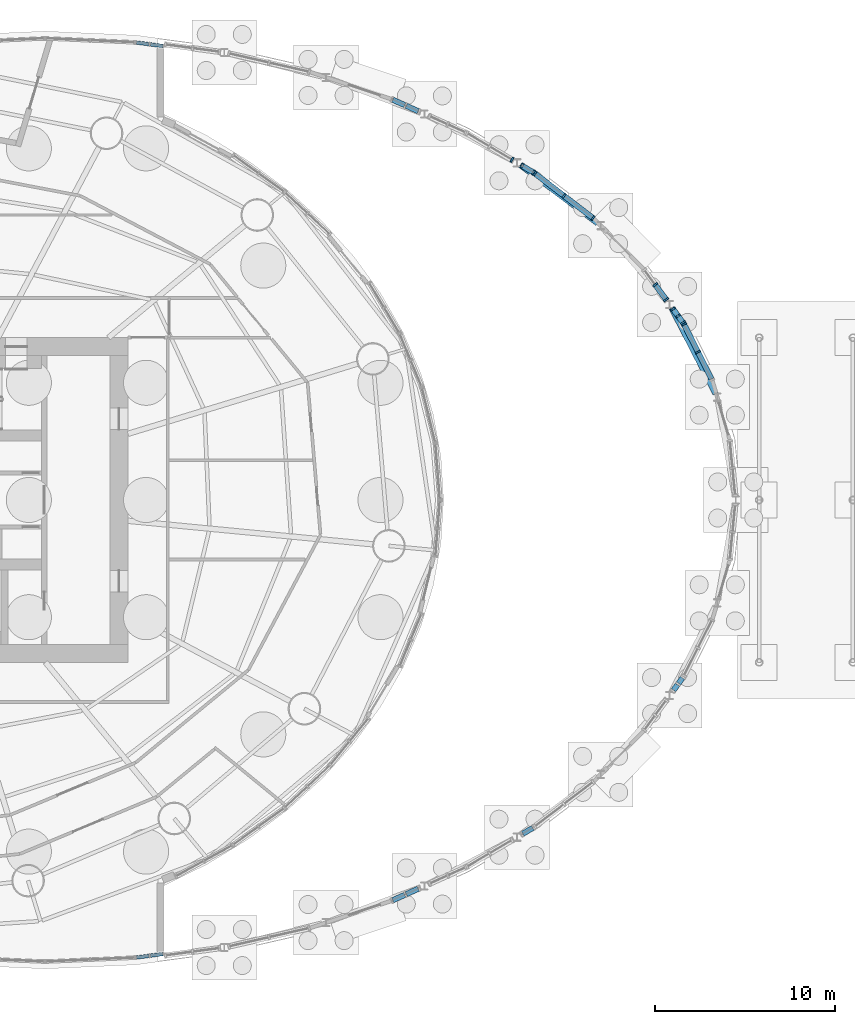
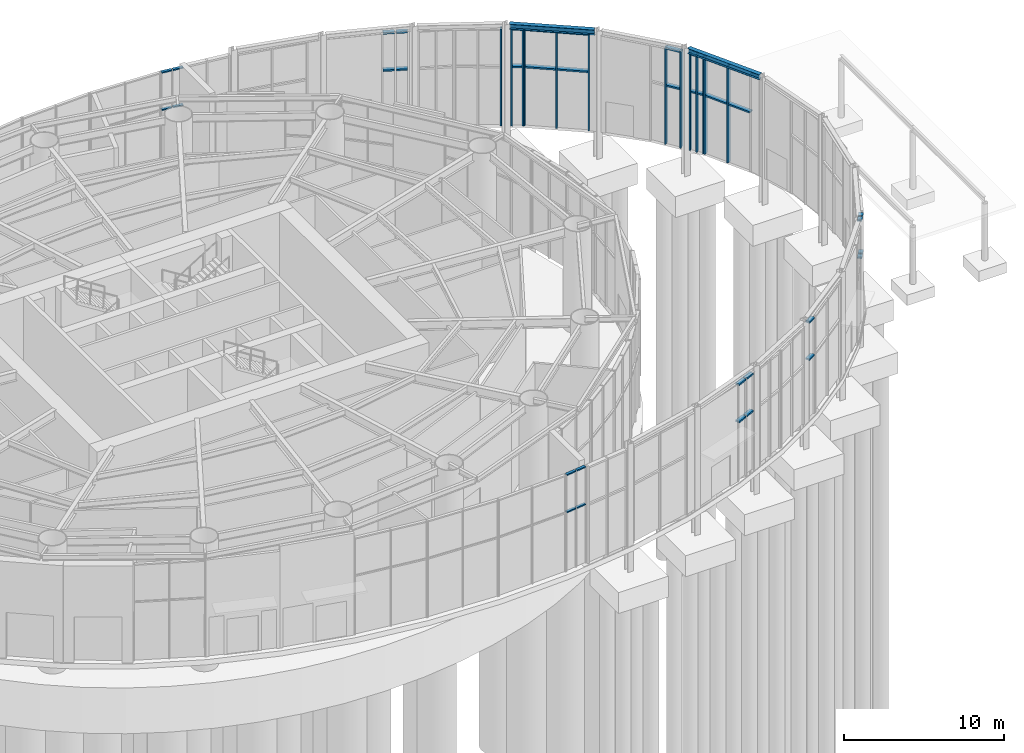
# One storey, part 14 of 27: 51 members, 2 beams, 12 elements without a shape of their own.
"""IFC4 building model written with IfcOpenShell, lengths in metres."""

from ifc_helpers import new_model, si_unit, direction, frame, origin, origin_2d, place, context, subcontext, project, spatial, rectangle, i_section, extrude, material, material_profile, profile_set, type_object, element, aggregate, save


model = new_model("IFC4")

# Units and contexts
model_context = context("Model", 3, precision=1e-05, world=origin(), true_north=direction((0.0, 1.0)))
body_context = subcontext(model_context, "Body", "Model", "MODEL_VIEW")
ifc_project = project(units=[si_unit("LENGTHUNIT", "METRE"), si_unit("AREAUNIT", "SQUARE_METRE"), si_unit("VOLUMEUNIT", "CUBIC_METRE"), si_unit("PLANEANGLEUNIT", "RADIAN"), si_unit("MASSUNIT", "GRAM", prefix="KILO")], contexts=[model_context])

# Site, building, storey
site_placement = place(None, origin())
site = spatial("IfcSite", under=ifc_project, at=site_placement, CompositionType="ELEMENT")
building_placement = place(site_placement, origin())
building = spatial("IfcBuilding", under=site, at=building_placement, Name="Vermilion Reach Broadcast Tower", CompositionType="ELEMENT")
storey_placement = place(building_placement, origin())
storey = spatial("IfcBuildingStorey", under=building, at=storey_placement, Name="L00", CompositionType="ELEMENT", Elevation=0.0)

# Curtain wall, members
ifc_material_1 = material(Name="Low-e laminated clear glass in aluminium frame", Category="aluminium")
curtain_wall_type_1 = type_object("IfcCurtainWallType", Name="Atrium outer wall curtain wall", PredefinedType="NOTDEFINED", material=ifc_material_1)
placement = place(storey_placement, origin())
curtain_wall_1 = element("IfcCurtainWall", 1, at=placement, inside=storey, type_object=curtain_wall_type_1, Name="Atrium wall L00 01", PredefinedType="NOTDEFINED")
ifc_material_2 = material(Name="Anodised aluminium", Category="aluminium")
ifc_material_profile_1 = material_profile(ifc_material_2, rectangle(XDim=0.300048828125, YDim=0.10009765625, at=origin_2d()), Name="Atrium outer wall mullion 100 x 300")
ifc_profile_set_1 = profile_set([ifc_material_profile_1], Name="Anodised aluminium")
member_type_1 = type_object("IfcMemberType", Name="Atrium outer wall mullion 100 x 300", PredefinedType="MULLION", material=ifc_profile_set_1)
member_1_placement = place(storey_placement, frame((37.6064453125, 8.20556640625, 0.0), z_axis=(0.0, 0.0, 1.0), x_axis=(-0.892992378986, -0.450071784356, 0.0)))
member_1 = element("IfcMember", 2, at=member_1_placement, type_object=member_type_1, Name="Atrium wall mullion L00 01.2", PredefinedType="MULLION", context=body_context, shape_type="SweptSolid", body=[
    extrude(rectangle(XDim=0.300048828125, YDim=0.10009765625, at=origin_2d()), origin(), (0.0, 0.0, 1.0), 7.409912109375),
])
member_2_placement = place(storey_placement, frame((36.8291015625, 9.748046875, 0.0), z_axis=(0.0, 0.0, 1.0), x_axis=(-0.892992378986, -0.450071784356, 0.0)))
member_2 = element("IfcMember", 3, at=member_2_placement, type_object=member_type_1, Name="Atrium wall mullion L00 01.3", PredefinedType="MULLION", context=body_context, shape_type="SweptSolid", body=[
    extrude(rectangle(XDim=0.300048828125, YDim=0.10009765625, at=origin_2d()), origin(), (0.0, 0.0, 1.0), 7.409912109375),
])

curtain_wall_2 = element("IfcCurtainWall", 4, at=placement, inside=storey, type_object=curtain_wall_type_1, Name="Atrium wall L00 02-1", PredefinedType="NOTDEFINED")
member_3_placement = place(storey_placement, frame((36.777099609375, 9.8330078125, 0.0), z_axis=(0.0, 0.0, 1.0), x_axis=(-0.806847463604, -0.590759824697, 0.0)))
member_3 = element("IfcMember", 5, at=member_3_placement, type_object=member_type_1, Name="Atrium wall mullion L00 02-1.1", PredefinedType="MULLION", context=body_context, shape_type="SweptSolid", body=[
    extrude(rectangle(XDim=0.300048828125, YDim=0.10009765625, at=origin_2d()), origin(), (0.0, 0.0, 1.0), 7.409912109375),
])
member_4_placement = place(storey_placement, frame((36.501220703125, 10.209716796875, 0.0), z_axis=(0.0, 0.0, 1.0), x_axis=(-0.806847463604, -0.590759824697, 0.0)))
member_4 = element("IfcMember", 6, at=member_4_placement, type_object=member_type_1, Name="Atrium wall mullion L00 02-1.2", PredefinedType="MULLION", context=body_context, shape_type="SweptSolid", body=[
    extrude(rectangle(XDim=0.300048828125, YDim=0.10009765625, at=origin_2d()), origin(), (0.0, 0.0, 1.0), 7.409912109375),
])
member_5_placement = place(storey_placement, frame((36.2255859375, 10.586181640625, 0.0), z_axis=(0.0, 0.0, 1.0), x_axis=(-0.806847463604, -0.590759824697, 0.0)))
member_5 = element("IfcMember", 7, at=member_5_placement, type_object=member_type_1, Name="Atrium wall mullion L00 02-1.3", PredefinedType="MULLION", context=body_context, shape_type="SweptSolid", body=[
    extrude(rectangle(XDim=0.300048828125, YDim=0.10009765625, at=origin_2d()), origin(), (0.0, 0.0, 1.0), 7.409912109375),
])

curtain_wall_3 = element("IfcCurtainWall", 8, at=placement, inside=storey, type_object=curtain_wall_type_1, Name="Atrium wall L00 02-2", PredefinedType="NOTDEFINED")
member_6_placement = place(storey_placement, frame((35.8427734375, 11.109130859375, 0.0), z_axis=(0.0, 0.0, 1.0), x_axis=(-0.806847463604, -0.590759824697, 0.0)))
member_6 = element("IfcMember", 9, at=member_6_placement, type_object=member_type_1, Name="Atrium wall mullion L00 02-2.1", PredefinedType="MULLION", context=body_context, shape_type="SweptSolid", body=[
    extrude(rectangle(XDim=0.300048828125, YDim=0.10009765625, at=origin_2d()), origin(), (0.0, 0.0, 1.0), 7.409912109375),
])
member_7_placement = place(storey_placement, frame((35.236572265625, 11.936767578125, 0.0), z_axis=(0.0, 0.0, 1.0), x_axis=(-0.806847463604, -0.590759824697, 0.0)))
member_7 = element("IfcMember", 10, at=member_7_placement, type_object=member_type_1, Name="Atrium wall mullion L00 02-2.2", PredefinedType="MULLION", context=body_context, shape_type="SweptSolid", body=[
    extrude(rectangle(XDim=0.300048828125, YDim=0.10009765625, at=origin_2d()), origin(), (0.0, 0.0, 1.0), 7.409912109375),
])

curtain_wall_4 = element("IfcCurtainWall", 11, at=placement, inside=storey, type_object=curtain_wall_type_1, Name="Atrium wall L00 01", PredefinedType="NOTDEFINED")
member_8_placement = place(storey_placement, frame((31.7861328125, 15.6328125, 0.0), z_axis=(0.0, 0.0, 1.0), x_axis=(-0.609113924113, -0.793082736826, 0.0)))
member_8 = element("IfcMember", 12, at=member_8_placement, type_object=member_type_1, Name="Atrium wall mullion L00 01.1", PredefinedType="MULLION", context=body_context, shape_type="SweptSolid", body=[
    extrude(rectangle(XDim=0.300048828125, YDim=0.10009765625, at=origin_2d()), origin(), (0.0, 0.0, 1.0), 7.409912109375),
])
member_9_placement = place(storey_placement, frame((30.17626953125, 16.869140625, 0.0), z_axis=(0.0, 0.0, 1.0), x_axis=(-0.609113924113, -0.793082736826, 0.0)))
member_9 = element("IfcMember", 13, at=member_9_placement, type_object=member_type_1, Name="Atrium wall mullion L00 01.2", PredefinedType="MULLION", context=body_context, shape_type="SweptSolid", body=[
    extrude(rectangle(XDim=0.300048828125, YDim=0.10009765625, at=origin_2d()), origin(), (0.0, 0.0, 1.0), 7.409912109375),
])
member_10_placement = place(storey_placement, frame((28.566650390625, 18.10546875, 0.0), z_axis=(0.0, 0.0, 1.0), x_axis=(-0.609113924113, -0.793082736826, 0.0)))
member_10 = element("IfcMember", 14, at=member_10_placement, type_object=member_type_1, Name="Atrium wall mullion L00 01.3", PredefinedType="MULLION", context=body_context, shape_type="SweptSolid", body=[
    extrude(rectangle(XDim=0.300048828125, YDim=0.10009765625, at=origin_2d()), origin(), (0.0, 0.0, 1.0), 7.409912109375),
])

curtain_wall_5 = element("IfcCurtainWall", 15, at=placement, inside=storey, type_object=curtain_wall_type_1, Name="Atrium wall L00 02-1", PredefinedType="NOTDEFINED")
member_11_placement = place(storey_placement, frame((28.48388671875, 18.161376953125, 0.0), z_axis=(0.0, 0.0, 1.0), x_axis=(-0.508589622127, -0.861009057017, 0.0)))
member_11 = element("IfcMember", 16, at=member_11_placement, type_object=member_type_1, Name="Atrium wall mullion L00 02-1.1", PredefinedType="MULLION", context=body_context, shape_type="SweptSolid", body=[
    extrude(rectangle(XDim=0.300048828125, YDim=0.10009765625, at=origin_2d()), origin(), (0.0, 0.0, 1.0), 7.409912109375),
])
member_12_placement = place(storey_placement, frame((27.849609375, 18.5361328125, 0.0), z_axis=(0.0, 0.0, 1.0), x_axis=(-0.508589622127, -0.861009057017, 0.0)))
member_12 = element("IfcMember", 17, at=member_12_placement, type_object=member_type_1, Name="Atrium wall mullion L00 02-1.2", PredefinedType="MULLION", context=body_context, shape_type="SweptSolid", body=[
    extrude(rectangle(XDim=0.300048828125, YDim=0.10009765625, at=origin_2d()), origin(), (0.0, 0.0, 1.0), 7.409912109375),
])

# Curtain wall, member
curtain_wall_6 = element("IfcCurtainWall", 18, at=placement, inside=storey, type_object=curtain_wall_type_1, Name="Atrium wall L00 02-2", PredefinedType="NOTDEFINED")
member_13_placement = place(storey_placement, frame((27.291748046875, 18.86572265625, 0.0), z_axis=(0.0, 0.0, 1.0), x_axis=(-0.508589622127, -0.861009057017, 0.0)))
member_13 = element("IfcMember", 19, at=member_13_placement, type_object=member_type_1, Name="Atrium wall mullion L00 02-2.1", PredefinedType="MULLION", context=body_context, shape_type="SweptSolid", body=[
    extrude(rectangle(XDim=0.300048828125, YDim=0.10009765625, at=origin_2d()), origin(), (0.0, 0.0, 1.0), 7.409912109375),
])
aggregate(curtain_wall_6, [member_13])

# Curtain wall, members
curtain_wall_7 = element("IfcCurtainWall", 20, at=placement, inside=storey, type_object=curtain_wall_type_1, Name="Atrium wall L00 01-1", PredefinedType="NOTDEFINED")
ifc_material_3 = material(Name="Anodised aluminium", Category="aluminium")
ifc_material_profile_2 = material_profile(ifc_material_3, rectangle(XDim=0.300048828125, YDim=0.1201171875, at=origin_2d()), Name="Atrium outer wall transom 300 x 120")
ifc_profile_set_2 = profile_set([ifc_material_profile_2], Name="Anodised aluminium")
member_type_2 = type_object("IfcMemberType", Name="Atrium outer wall transom 300 x 120", PredefinedType="USERDEFINED", material=ifc_profile_set_2)
member_14_placement = place(storey_placement, frame((20.6826171875, -22.196044921875, 4.5), z_axis=(0.911946820137, 0.41030841722, 0.0), x_axis=(-0.41030841722, 0.911946820137, 0.0)))
member_14 = element("IfcMember", 21, at=member_14_placement, type_object=member_type_2, Name="Atrium wall transom L00 01-1.1.2", ObjectType="TRANSOM", PredefinedType="USERDEFINED", context=body_context, shape_type="SweptSolid", body=[
    extrude(rectangle(XDim=0.300048828125, YDim=0.1201171875, at=origin_2d()), origin(), (0.0, 0.0, 1.0), 0.7216796875),
])
member_15_placement = place(storey_placement, frame((20.6826171875, -22.196044921875, 7.35009765625), z_axis=(0.911946820137, 0.41030841722, 0.0), x_axis=(-0.41030841722, 0.911946820137, 0.0)))
member_15 = element("IfcMember", 22, at=member_15_placement, type_object=member_type_2, Name="Atrium wall transom L00 01-1.1.3", ObjectType="TRANSOM", PredefinedType="USERDEFINED", context=body_context, shape_type="SweptSolid", body=[
    extrude(rectangle(XDim=0.300048828125, YDim=0.1201171875, at=origin_2d()), origin(), (0.0, 0.0, 1.0), 0.7216796875),
])
member_16_placement = place(storey_placement, frame((21.431884765625, -21.85888671875, 4.5), z_axis=(0.911877215452, 0.410463084746, 0.0), x_axis=(-0.410463084746, 0.911877215452, 0.0)))
member_16 = element("IfcMember", 23, at=member_16_placement, type_object=member_type_2, Name="Atrium wall transom L00 01-1.2.2", ObjectType="TRANSOM", PredefinedType="USERDEFINED", context=body_context, shape_type="SweptSolid", body=[
    extrude(rectangle(XDim=0.300048828125, YDim=0.1201171875, at=origin_2d()), origin(), (0.0, 0.0, 1.0), 0.72216796875),
])
member_17_placement = place(storey_placement, frame((21.431884765625, -21.85888671875, 7.35009765625), z_axis=(0.911877215452, 0.410463084746, 0.0), x_axis=(-0.410463084746, 0.911877215452, 0.0)))
member_17 = element("IfcMember", 24, at=member_17_placement, type_object=member_type_2, Name="Atrium wall transom L00 01-1.2.3", ObjectType="TRANSOM", PredefinedType="USERDEFINED", context=body_context, shape_type="SweptSolid", body=[
    extrude(rectangle(XDim=0.300048828125, YDim=0.1201171875, at=origin_2d()), origin(), (0.0, 0.0, 1.0), 0.72216796875),
])
aggregate(curtain_wall_7, [member_14, member_15, member_16, member_17])

curtain_wall_8 = element("IfcCurtainWall", 25, at=placement, inside=storey, type_object=curtain_wall_type_1, Name="Atrium wall L00 02-2", PredefinedType="NOTDEFINED")
member_18_placement = place(storey_placement, frame((27.892822265625, -18.5107421875, 4.5), z_axis=(0.860857815455, 0.508845577331, 0.0), x_axis=(-0.508845577331, 0.860857815455, 0.0)))
member_18 = element("IfcMember", 26, at=member_18_placement, type_object=member_type_2, Name="Atrium wall transom L00 02-2.1.2", ObjectType="TRANSOM", PredefinedType="USERDEFINED", context=body_context, shape_type="SweptSolid", body=[
    extrude(rectangle(XDim=0.300048828125, YDim=0.1201171875, at=origin_2d()), origin(), (0.0, 0.0, 1.0), 0.63671875),
])
member_19_placement = place(storey_placement, frame((27.892822265625, -18.5107421875, 7.35009765625), z_axis=(0.860857815455, 0.508845577331, 0.0), x_axis=(-0.508845577331, 0.860857815455, 0.0)))
member_19 = element("IfcMember", 27, at=member_19_placement, type_object=member_type_2, Name="Atrium wall transom L00 02-2.1.3", ObjectType="TRANSOM", PredefinedType="USERDEFINED", context=body_context, shape_type="SweptSolid", body=[
    extrude(rectangle(XDim=0.300048828125, YDim=0.1201171875, at=origin_2d()), origin(), (0.0, 0.0, 1.0), 0.63671875),
])
aggregate(curtain_wall_8, [member_18, member_19])

curtain_wall_9 = element("IfcCurtainWall", 28, at=placement, inside=storey, type_object=curtain_wall_type_1, Name="Atrium wall L00 01-2", PredefinedType="NOTDEFINED")
member_20_placement = place(storey_placement, frame((36.255126953125, -10.5458984375, 4.5), z_axis=(0.590584029438, 0.806976148454, 0.0), x_axis=(-0.806976148454, 0.590584029438, 0.0)))
member_20 = element("IfcMember", 29, at=member_20_placement, type_object=member_type_2, Name="Atrium wall transom L00 01-2.1.2", ObjectType="TRANSOM", PredefinedType="USERDEFINED", context=body_context, shape_type="SweptSolid", body=[
    extrude(rectangle(XDim=0.300048828125, YDim=0.1201171875, at=origin_2d()), origin(), (0.0, 0.0, 1.0), 0.36669921875),
])
member_21_placement = place(storey_placement, frame((36.255126953125, -10.5458984375, 7.35009765625), z_axis=(0.590584029438, 0.806976148454, 0.0), x_axis=(-0.806976148454, 0.590584029438, 0.0)))
member_21 = element("IfcMember", 30, at=member_21_placement, type_object=member_type_2, Name="Atrium wall transom L00 01-2.1.3", ObjectType="TRANSOM", PredefinedType="USERDEFINED", context=body_context, shape_type="SweptSolid", body=[
    extrude(rectangle(XDim=0.300048828125, YDim=0.1201171875, at=origin_2d()), origin(), (0.0, 0.0, 1.0), 0.36669921875),
])
member_22_placement = place(storey_placement, frame((36.53076171875, -10.169189453125, 4.5), z_axis=(0.59101736398, 0.806658834622, 0.0), x_axis=(-0.806658834622, 0.59101736398, 0.0)))
member_22 = element("IfcMember", 31, at=member_22_placement, type_object=member_type_2, Name="Atrium wall transom L00 01-2.2.2", ObjectType="TRANSOM", PredefinedType="USERDEFINED", context=body_context, shape_type="SweptSolid", body=[
    extrude(rectangle(XDim=0.300048828125, YDim=0.1201171875, at=origin_2d()), origin(), (0.0, 0.0, 1.0), 0.36669921875),
])
member_23_placement = place(storey_placement, frame((36.53076171875, -10.169189453125, 7.35009765625), z_axis=(0.59101736398, 0.806658834622, 0.0), x_axis=(-0.806658834622, 0.59101736398, 0.0)))
member_23 = element("IfcMember", 32, at=member_23_placement, type_object=member_type_2, Name="Atrium wall transom L00 01-2.2.3", ObjectType="TRANSOM", PredefinedType="USERDEFINED", context=body_context, shape_type="SweptSolid", body=[
    extrude(rectangle(XDim=0.300048828125, YDim=0.1201171875, at=origin_2d()), origin(), (0.0, 0.0, 1.0), 0.36669921875),
])
aggregate(curtain_wall_9, [member_20, member_21, member_22, member_23])

# Member
member_24_placement = place(storey_placement, frame((38.361328125, 6.707763671875, 4.5), z_axis=(-0.450091864122, 0.892982258419, 0.0), x_axis=(-0.892982258419, -0.450091864122, 0.0)))
member_24 = element("IfcMember", 33, at=member_24_placement, type_object=member_type_2, Name="Atrium wall transom L00 01.1.2", ObjectType="TRANSOM", PredefinedType="USERDEFINED", context=body_context, shape_type="SweptSolid", body=[
    extrude(rectangle(XDim=0.300048828125, YDim=0.1201171875, at=origin_2d()), origin(), (0.0, 0.0, 1.0), 1.627197265625),
])

member_25_placement = place(storey_placement, frame((38.361328125, 6.707763671875, 7.35009765625), z_axis=(-0.450091864122, 0.892982258419, 0.0), x_axis=(-0.892982258419, -0.450091864122, 0.0)))
member_25 = element("IfcMember", 34, at=member_25_placement, type_object=member_type_2, Name="Atrium wall transom L00 01.1.3", ObjectType="TRANSOM", PredefinedType="USERDEFINED", context=body_context, shape_type="SweptSolid", body=[
    extrude(rectangle(XDim=0.300048828125, YDim=0.1201171875, at=origin_2d()), origin(), (0.0, 0.0, 1.0), 1.627197265625),
])

member_26_placement = place(storey_placement, frame((37.583984375, 8.250244140625, 4.5), z_axis=(-0.450091864122, 0.892982258419, 0.0), x_axis=(-0.892982258419, -0.450091864122, 0.0)))
member_26 = element("IfcMember", 35, at=member_26_placement, type_object=member_type_2, Name="Atrium wall transom L00 01.2.2", ObjectType="TRANSOM", PredefinedType="USERDEFINED", context=body_context, shape_type="SweptSolid", body=[
    extrude(rectangle(XDim=0.300048828125, YDim=0.1201171875, at=origin_2d()), origin(), (0.0, 0.0, 1.0), 1.627197265625),
])

member_27_placement = place(storey_placement, frame((37.583984375, 8.250244140625, 7.35009765625), z_axis=(-0.450091864122, 0.892982258419, 0.0), x_axis=(-0.892982258419, -0.450091864122, 0.0)))
member_27 = element("IfcMember", 36, at=member_27_placement, type_object=member_type_2, Name="Atrium wall transom L00 01.2.3", ObjectType="TRANSOM", PredefinedType="USERDEFINED", context=body_context, shape_type="SweptSolid", body=[
    extrude(rectangle(XDim=0.300048828125, YDim=0.1201171875, at=origin_2d()), origin(), (0.0, 0.0, 1.0), 1.627197265625),
])

aggregate(curtain_wall_1, [member_1, member_2, member_24, member_25, member_26, member_27])

member_28_placement = place(storey_placement, frame((36.74755859375, 9.873291015625, 4.5), z_axis=(-0.59101736398, 0.806658834622, 0.0), x_axis=(-0.806658834622, -0.59101736398, 0.0)))
member_28 = element("IfcMember", 37, at=member_28_placement, type_object=member_type_2, Name="Atrium wall transom L00 02-1.1.2", ObjectType="TRANSOM", PredefinedType="USERDEFINED", context=body_context, shape_type="SweptSolid", body=[
    extrude(rectangle(XDim=0.300048828125, YDim=0.1201171875, at=origin_2d()), origin(), (0.0, 0.0, 1.0), 0.36669921875),
])

member_29_placement = place(storey_placement, frame((36.74755859375, 9.873291015625, 7.35009765625), z_axis=(-0.59101736398, 0.806658834622, 0.0), x_axis=(-0.806658834622, -0.59101736398, 0.0)))
member_29 = element("IfcMember", 38, at=member_29_placement, type_object=member_type_2, Name="Atrium wall transom L00 02-1.1.3", ObjectType="TRANSOM", PredefinedType="USERDEFINED", context=body_context, shape_type="SweptSolid", body=[
    extrude(rectangle(XDim=0.300048828125, YDim=0.1201171875, at=origin_2d()), origin(), (0.0, 0.0, 1.0), 0.36669921875),
])

member_30_placement = place(storey_placement, frame((36.4716796875, 10.25, 4.5), z_axis=(-0.590584029438, 0.806976148454, 0.0), x_axis=(-0.806976148454, -0.590584029438, 0.0)))
member_30 = element("IfcMember", 39, at=member_30_placement, type_object=member_type_2, Name="Atrium wall transom L00 02-1.2.2", ObjectType="TRANSOM", PredefinedType="USERDEFINED", context=body_context, shape_type="SweptSolid", body=[
    extrude(rectangle(XDim=0.300048828125, YDim=0.1201171875, at=origin_2d()), origin(), (0.0, 0.0, 1.0), 0.36669921875),
])

member_31_placement = place(storey_placement, frame((36.4716796875, 10.25, 7.35009765625), z_axis=(-0.590584029438, 0.806976148454, 0.0), x_axis=(-0.806976148454, -0.590584029438, 0.0)))
member_31 = element("IfcMember", 40, at=member_31_placement, type_object=member_type_2, Name="Atrium wall transom L00 02-1.2.3", ObjectType="TRANSOM", PredefinedType="USERDEFINED", context=body_context, shape_type="SweptSolid", body=[
    extrude(rectangle(XDim=0.300048828125, YDim=0.1201171875, at=origin_2d()), origin(), (0.0, 0.0, 1.0), 0.36669921875),
])

aggregate(curtain_wall_2, [member_3, member_4, member_5, member_28, member_29, member_30, member_31])

member_32_placement = place(storey_placement, frame((35.813232421875, 11.1494140625, 4.5), z_axis=(-0.590849188932, 0.806782025047, 0.0), x_axis=(-0.806782025047, -0.590849188932, 0.0)))
member_32 = element("IfcMember", 41, at=member_32_placement, type_object=member_type_2, Name="Atrium wall transom L00 02-2.1.2", ObjectType="TRANSOM", PredefinedType="USERDEFINED", context=body_context, shape_type="SweptSolid", body=[
    extrude(rectangle(XDim=0.300048828125, YDim=0.1201171875, at=origin_2d()), origin(), (0.0, 0.0, 1.0), 0.926025390625),
])

member_33_placement = place(storey_placement, frame((35.813232421875, 11.1494140625, 7.35009765625), z_axis=(-0.590849188932, 0.806782025047, 0.0), x_axis=(-0.806782025047, -0.590849188932, 0.0)))
member_33 = element("IfcMember", 42, at=member_33_placement, type_object=member_type_2, Name="Atrium wall transom L00 02-2.1.3", ObjectType="TRANSOM", PredefinedType="USERDEFINED", context=body_context, shape_type="SweptSolid", body=[
    extrude(rectangle(XDim=0.300048828125, YDim=0.1201171875, at=origin_2d()), origin(), (0.0, 0.0, 1.0), 0.926025390625),
])

aggregate(curtain_wall_3, [member_6, member_7, member_32, member_33])

member_34_placement = place(storey_placement, frame((31.74658203125, 15.663330078125, 4.5), z_axis=(-0.79307054721, 0.609129794993, 0.0), x_axis=(-0.609129794993, -0.79307054721, 0.0)))
member_34 = element("IfcMember", 43, at=member_34_placement, type_object=member_type_2, Name="Atrium wall transom L00 01.1.2", ObjectType="TRANSOM", PredefinedType="USERDEFINED", context=body_context, shape_type="SweptSolid", body=[
    extrude(rectangle(XDim=0.300048828125, YDim=0.1201171875, at=origin_2d()), origin(), (0.0, 0.0, 1.0), 1.929931640625),
])

member_35_placement = place(storey_placement, frame((31.74658203125, 15.663330078125, 7.35009765625), z_axis=(-0.79307054721, 0.609129794993, 0.0), x_axis=(-0.609129794993, -0.79307054721, 0.0)))
member_35 = element("IfcMember", 44, at=member_35_placement, type_object=member_type_2, Name="Atrium wall transom L00 01.1.3", ObjectType="TRANSOM", PredefinedType="USERDEFINED", context=body_context, shape_type="SweptSolid", body=[
    extrude(rectangle(XDim=0.300048828125, YDim=0.1201171875, at=origin_2d()), origin(), (0.0, 0.0, 1.0), 1.929931640625),
])

member_36_placement = place(storey_placement, frame((30.13671875, 16.899658203125, 4.5), z_axis=(-0.79307054721, 0.609129794993, 0.0), x_axis=(-0.609129794993, -0.79307054721, 0.0)))
member_36 = element("IfcMember", 45, at=member_36_placement, type_object=member_type_2, Name="Atrium wall transom L00 01.2.2", ObjectType="TRANSOM", PredefinedType="USERDEFINED", context=body_context, shape_type="SweptSolid", body=[
    extrude(rectangle(XDim=0.300048828125, YDim=0.1201171875, at=origin_2d()), origin(), (0.0, 0.0, 1.0), 1.929931640625),
])

member_37_placement = place(storey_placement, frame((30.13671875, 16.899658203125, 7.35009765625), z_axis=(-0.79307054721, 0.609129794993, 0.0), x_axis=(-0.609129794993, -0.79307054721, 0.0)))
member_37 = element("IfcMember", 46, at=member_37_placement, type_object=member_type_2, Name="Atrium wall transom L00 01.2.3", ObjectType="TRANSOM", PredefinedType="USERDEFINED", context=body_context, shape_type="SweptSolid", body=[
    extrude(rectangle(XDim=0.300048828125, YDim=0.1201171875, at=origin_2d()), origin(), (0.0, 0.0, 1.0), 1.929931640625),
])

aggregate(curtain_wall_4, [member_8, member_9, member_10, member_34, member_35, member_36, member_37])

member_38_placement = place(storey_placement, frame((28.44091796875, 18.186767578125, 4.5), z_axis=(-0.860857815455, 0.508845577331, 0.0), x_axis=(-0.508845577331, -0.860857815455, 0.0)))
member_38 = element("IfcMember", 47, at=member_38_placement, type_object=member_type_2, Name="Atrium wall transom L00 02-1.1.2", ObjectType="TRANSOM", PredefinedType="USERDEFINED", context=body_context, shape_type="SweptSolid", body=[
    extrude(rectangle(XDim=0.300048828125, YDim=0.1201171875, at=origin_2d()), origin(), (0.0, 0.0, 1.0), 0.63671875),
])

member_39_placement = place(storey_placement, frame((28.44091796875, 18.186767578125, 7.35009765625), z_axis=(-0.860857815455, 0.508845577331, 0.0), x_axis=(-0.508845577331, -0.860857815455, 0.0)))
member_39 = element("IfcMember", 48, at=member_39_placement, type_object=member_type_2, Name="Atrium wall transom L00 02-1.1.3", ObjectType="TRANSOM", PredefinedType="USERDEFINED", context=body_context, shape_type="SweptSolid", body=[
    extrude(rectangle(XDim=0.300048828125, YDim=0.1201171875, at=origin_2d()), origin(), (0.0, 0.0, 1.0), 0.63671875),
])

aggregate(curtain_wall_5, [member_11, member_12, member_38, member_39])

# Curtain wall, members
curtain_wall_10 = element("IfcCurtainWall", 49, at=placement, inside=storey, type_object=curtain_wall_type_1, Name="Atrium wall L00 03-2", PredefinedType="NOTDEFINED")
member_40_placement = place(storey_placement, frame((22.09033203125, 21.5625, 4.5), z_axis=(-0.911877215452, 0.410463084746, 0.0), x_axis=(-0.410463084746, -0.911877215452, 0.0)))
member_40 = element("IfcMember", 50, at=member_40_placement, type_object=member_type_2, Name="Atrium wall transom L00 03-2.1.2", ObjectType="TRANSOM", PredefinedType="USERDEFINED", context=body_context, shape_type="SweptSolid", body=[
    extrude(rectangle(XDim=0.300048828125, YDim=0.1201171875, at=origin_2d()), origin(), (0.0, 0.0, 1.0), 0.72216796875),
])
member_41_placement = place(storey_placement, frame((22.09033203125, 21.5625, 7.35009765625), z_axis=(-0.911877215452, 0.410463084746, 0.0), x_axis=(-0.410463084746, -0.911877215452, 0.0)))
member_41 = element("IfcMember", 51, at=member_41_placement, type_object=member_type_2, Name="Atrium wall transom L00 03-2.1.3", ObjectType="TRANSOM", PredefinedType="USERDEFINED", context=body_context, shape_type="SweptSolid", body=[
    extrude(rectangle(XDim=0.300048828125, YDim=0.1201171875, at=origin_2d()), origin(), (0.0, 0.0, 1.0), 0.72216796875),
])
member_42_placement = place(storey_placement, frame((21.3408203125, 21.89990234375, 4.5), z_axis=(-0.911946820137, 0.41030841722, 0.0), x_axis=(-0.41030841722, -0.911946820137, 0.0)))
member_42 = element("IfcMember", 52, at=member_42_placement, type_object=member_type_2, Name="Atrium wall transom L00 03-2.2.2", ObjectType="TRANSOM", PredefinedType="USERDEFINED", context=body_context, shape_type="SweptSolid", body=[
    extrude(rectangle(XDim=0.300048828125, YDim=0.1201171875, at=origin_2d()), origin(), (0.0, 0.0, 1.0), 0.7216796875),
])
member_43_placement = place(storey_placement, frame((21.3408203125, 21.89990234375, 7.35009765625), z_axis=(-0.911946820137, 0.41030841722, 0.0), x_axis=(-0.41030841722, -0.911946820137, 0.0)))
member_43 = element("IfcMember", 53, at=member_43_placement, type_object=member_type_2, Name="Atrium wall transom L00 03-2.2.3", ObjectType="TRANSOM", PredefinedType="USERDEFINED", context=body_context, shape_type="SweptSolid", body=[
    extrude(rectangle(XDim=0.300048828125, YDim=0.1201171875, at=origin_2d()), origin(), (0.0, 0.0, 1.0), 0.7216796875),
])
aggregate(curtain_wall_10, [member_40, member_41, member_42, member_43])

# Beams
ifc_material_4 = material(Name="Steel S355J2", Category="steel")
ifc_material_profile_3 = material_profile(ifc_material_4, i_section(OverallWidth=0.300048828125, OverallDepth=0.389892578125, WebThickness=0.010009765625, FlangeThickness=0.01611328125, at=origin_2d()), Name="S355J2 HM 390x300x10x16")
ifc_profile_set_3 = profile_set([ifc_material_profile_3], Name="Steel S355J2")
beam_type = type_object("IfcBeamType", Name="RM1 HM 390x300x10x16", PredefinedType="BEAM", material=ifc_profile_set_3)
beam_1_placement = place(storey_placement, frame((38.576416015625, 5.89697265625, 7.60498046875), z_axis=(-0.456870131235, 0.889533407571, 0.0), x_axis=(-0.889533407571, -0.456870131235, 0.0)))
element("IfcBeam", 54, at=beam_1_placement, inside=storey, type_object=beam_type, Name="Rim beam AP09-AP10", PredefinedType="BEAM", context=body_context, shape_type="SweptSolid", body=[
    extrude(i_section(OverallWidth=0.300048828125, OverallDepth=0.389892578125, WebThickness=0.010009765625, FlangeThickness=0.01611328125, at=origin_2d()), origin(), (0.0, 0.0, 1.0), 5.345458984375),
])
beam_2_placement = place(storey_placement, frame((32.035888671875, 15.34521484375, 7.60498046875), z_axis=(-0.799426308376, 0.600764161278, 0.0), x_axis=(-0.600764161278, -0.799426308376, 0.0)))
element("IfcBeam", 55, at=beam_2_placement, inside=storey, type_object=beam_type, Name="Rim beam AP11-AP12", PredefinedType="BEAM", context=body_context, shape_type="SweptSolid", body=[
    extrude(i_section(OverallWidth=0.300048828125, OverallDepth=0.389892578125, WebThickness=0.010009765625, FlangeThickness=0.01611328125, at=origin_2d()), origin(), (0.0, 0.0, 1.0), 5.365478515625),
])

# Curtain wall, members
ifc_material_5 = material(Name="Low-e laminated clear glass in aluminium frame", Category="aluminium")
curtain_wall_type_2 = type_object("IfcCurtainWallType", Name="Street frontage curtain wall", PredefinedType="NOTDEFINED", material=ifc_material_5)
curtain_wall_11 = element("IfcCurtainWall", 56, at=placement, inside=storey, type_object=curtain_wall_type_2, Name="Street frontage L00 01", PredefinedType="NOTDEFINED")
ifc_material_6 = material(Name="Anodised aluminium", Category="aluminium")
ifc_material_profile_4 = material_profile(ifc_material_6, rectangle(XDim=0.199951171875, YDim=0.090087890625, at=origin_2d()), Name="Street frontage transom 200 x 90")
ifc_profile_set_4 = profile_set([ifc_material_profile_4], Name="Anodised aluminium")
member_type_3 = type_object("IfcMemberType", Name="Street frontage transom 200 x 90", PredefinedType="USERDEFINED", material=ifc_profile_set_4)
member_44_placement = place(storey_placement, frame((7.9306640625, 25.174560546875, 4.5), z_axis=(-0.991151670195, 0.132734195552, 0.0), x_axis=(-0.132734195552, -0.991151670195, 0.0)))
member_44 = element("IfcMember", 57, at=member_44_placement, type_object=member_type_3, Name="Street frontage transom L00 01.1.2", ObjectType="TRANSOM", PredefinedType="USERDEFINED", context=body_context, shape_type="SweptSolid", body=[
    extrude(rectangle(XDim=0.199951171875, YDim=0.090087890625, at=origin_2d()), origin(), (0.0, 0.0, 1.0), 0.70068359375),
])
member_45_placement = place(storey_placement, frame((7.9306640625, 25.174560546875, 7.35498046875), z_axis=(-0.991151670195, 0.132734195552, 0.0), x_axis=(-0.132734195552, -0.991151670195, 0.0)))
member_45 = element("IfcMember", 58, at=member_45_placement, type_object=member_type_3, Name="Street frontage transom L00 01.1.3", ObjectType="TRANSOM", PredefinedType="USERDEFINED", context=body_context, shape_type="SweptSolid", body=[
    extrude(rectangle(XDim=0.199951171875, YDim=0.090087890625, at=origin_2d()), origin(), (0.0, 0.0, 1.0), 0.70068359375),
])
member_46_placement = place(storey_placement, frame((7.166748046875, 25.27685546875, 4.5), z_axis=(-0.991145529063, 0.132780044505, 0.0), x_axis=(-0.132780044505, -0.991145529063, 0.0)))
member_46 = element("IfcMember", 59, at=member_46_placement, type_object=member_type_3, Name="Street frontage transom L00 01.2.2", ObjectType="TRANSOM", PredefinedType="USERDEFINED", context=body_context, shape_type="SweptSolid", body=[
    extrude(rectangle(XDim=0.199951171875, YDim=0.090087890625, at=origin_2d()), origin(), (0.0, 0.0, 1.0), 0.700439453125),
])
member_47_placement = place(storey_placement, frame((7.166748046875, 25.27685546875, 7.35498046875), z_axis=(-0.991145529063, 0.132780044505, 0.0), x_axis=(-0.132780044505, -0.991145529063, 0.0)))
member_47 = element("IfcMember", 60, at=member_47_placement, type_object=member_type_3, Name="Street frontage transom L00 01.2.3", ObjectType="TRANSOM", PredefinedType="USERDEFINED", context=body_context, shape_type="SweptSolid", body=[
    extrude(rectangle(XDim=0.199951171875, YDim=0.090087890625, at=origin_2d()), origin(), (0.0, 0.0, 1.0), 0.700439453125),
])
aggregate(curtain_wall_11, [member_44, member_45, member_46, member_47])

curtain_wall_12 = element("IfcCurtainWall", 61, at=placement, inside=storey, type_object=curtain_wall_type_2, Name="Street frontage L00 04", PredefinedType="NOTDEFINED")
member_48_placement = place(storey_placement, frame((6.472412109375, -25.369873046875, 4.5), z_axis=(0.991145529063, 0.132780044505, 0.0), x_axis=(-0.132780044505, 0.991145529063, 0.0)))
member_48 = element("IfcMember", 62, at=member_48_placement, type_object=member_type_3, Name="Street frontage transom L00 04.1.2", ObjectType="TRANSOM", PredefinedType="USERDEFINED", context=body_context, shape_type="SweptSolid", body=[
    extrude(rectangle(XDim=0.199951171875, YDim=0.090087890625, at=origin_2d()), origin(), (0.0, 0.0, 1.0), 0.700439453125),
])
member_49_placement = place(storey_placement, frame((6.472412109375, -25.369873046875, 7.35498046875), z_axis=(0.991145529063, 0.132780044505, 0.0), x_axis=(-0.132780044505, 0.991145529063, 0.0)))
member_49 = element("IfcMember", 63, at=member_49_placement, type_object=member_type_3, Name="Street frontage transom L00 04.1.3", ObjectType="TRANSOM", PredefinedType="USERDEFINED", context=body_context, shape_type="SweptSolid", body=[
    extrude(rectangle(XDim=0.199951171875, YDim=0.090087890625, at=origin_2d()), origin(), (0.0, 0.0, 1.0), 0.700439453125),
])
member_50_placement = place(storey_placement, frame((7.236083984375, -25.267578125, 4.5), z_axis=(0.991151670195, 0.132734195552, 0.0), x_axis=(-0.132734195552, 0.991151670195, 0.0)))
member_50 = element("IfcMember", 64, at=member_50_placement, type_object=member_type_3, Name="Street frontage transom L00 04.2.2", ObjectType="TRANSOM", PredefinedType="USERDEFINED", context=body_context, shape_type="SweptSolid", body=[
    extrude(rectangle(XDim=0.199951171875, YDim=0.090087890625, at=origin_2d()), origin(), (0.0, 0.0, 1.0), 0.70068359375),
])
member_51_placement = place(storey_placement, frame((7.236083984375, -25.267578125, 7.35498046875), z_axis=(0.991151670195, 0.132734195552, 0.0), x_axis=(-0.132734195552, 0.991151670195, 0.0)))
member_51 = element("IfcMember", 65, at=member_51_placement, type_object=member_type_3, Name="Street frontage transom L00 04.2.3", ObjectType="TRANSOM", PredefinedType="USERDEFINED", context=body_context, shape_type="SweptSolid", body=[
    extrude(rectangle(XDim=0.199951171875, YDim=0.090087890625, at=origin_2d()), origin(), (0.0, 0.0, 1.0), 0.70068359375),
])
aggregate(curtain_wall_12, [member_48, member_49, member_50, member_51])

save(model, "model.ifc")
